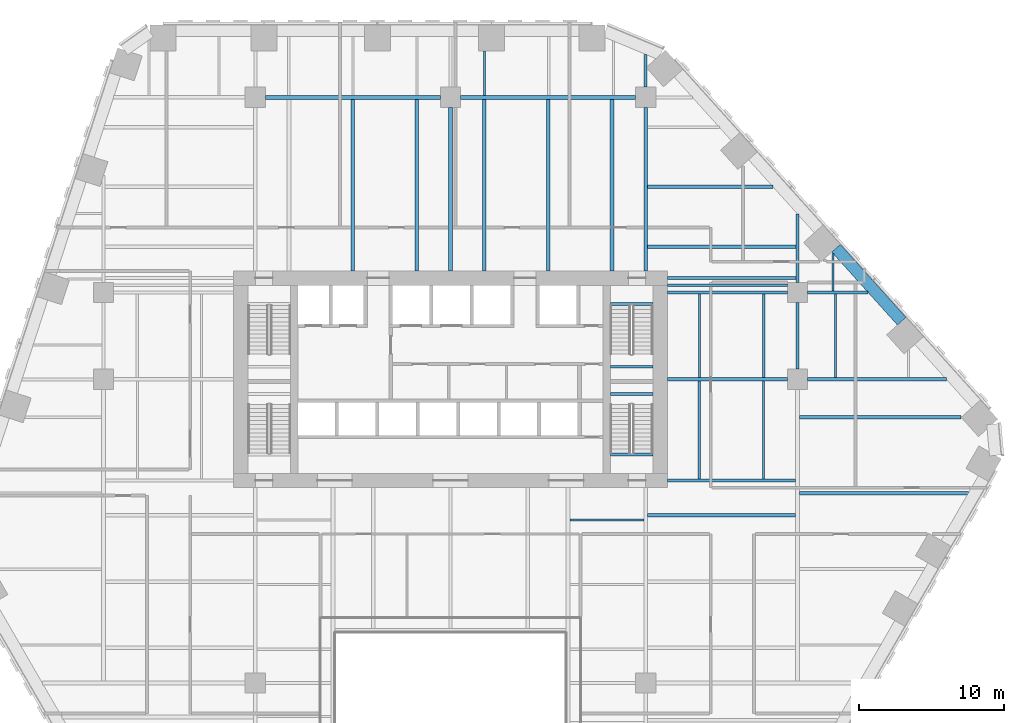
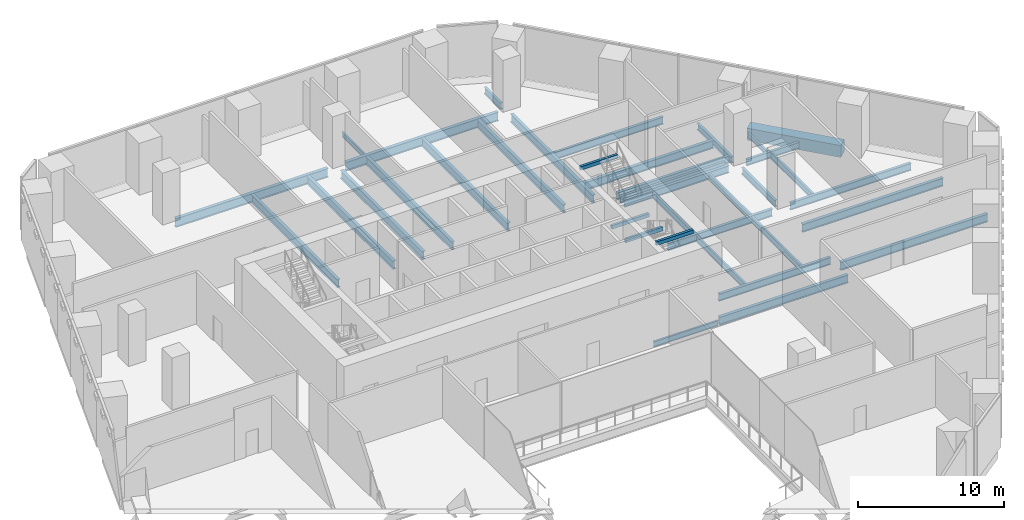
# One storey, part 9 of 19: 37 beams.
"""IFC4 building model written with IfcOpenShell, lengths in metres."""

from ifc_helpers import new_model, si_unit, direction, frame, origin, origin_2d, place, context, subcontext, project, spatial, rectangle, i_section, extrude, material, material_profile, profile_set, type_object, element, save


model = new_model("IFC4")

# Units and contexts
model_context = context("Model", 3, precision=1e-05, world=origin(), true_north=direction((0.0, 1.0)))
body_context = subcontext(model_context, "Body", "Model", "MODEL_VIEW")
ifc_project = project(units=[si_unit("LENGTHUNIT", "METRE"), si_unit("AREAUNIT", "SQUARE_METRE"), si_unit("VOLUMEUNIT", "CUBIC_METRE"), si_unit("PLANEANGLEUNIT", "RADIAN"), si_unit("MASSUNIT", "GRAM", prefix="KILO")], contexts=[model_context])

# Site, building, storey
site_placement = place(None, origin())
site = spatial("IfcSite", under=ifc_project, at=site_placement, CompositionType="ELEMENT")
building_placement = place(site_placement, origin())
building = spatial("IfcBuilding", under=site, at=building_placement, Name="Isthmus Gate Tower", CompositionType="ELEMENT")
storey_placement = place(building_placement, frame((0.0, 0.0, 76.14990234375)))
storey = spatial("IfcBuildingStorey", under=building, at=storey_placement, Name="L17", CompositionType="ELEMENT", Elevation=76.14990234375)

# Beams
ifc_material_1 = material(Name="Concrete f'c 70 MPa", Category="concrete")
ifc_material_profile_1 = material_profile(ifc_material_1, rectangle(XDim=0.800048828125, YDim=1.0, at=origin_2d()), Name="RC 800X1000")
ifc_profile_set_1 = profile_set([ifc_material_profile_1], Name="Concrete f'c 70 MPa")
beam_type_1 = type_object("IfcBeamType", Name="RC SPANDREL 800 X 1000", PredefinedType="SPANDREL", material=ifc_profile_set_1)
beam_1_placement = place(storey_placement, frame((26.664794921875, 16.566162109375, -0.5), z_axis=(0.669117690519, -0.743156454748, 0.0), x_axis=(0.743156454748, 0.669117690519, 0.0)))
element("IfcBeam", 1, at=beam_1_placement, inside=storey, type_object=beam_type_1, Name="str-spandrel-L17-03", PredefinedType="SPANDREL", context=body_context, shape_type="SweptSolid", body=[
    extrude(rectangle(XDim=0.800048828125, YDim=1.0, at=origin_2d()), origin(), (0.0, 0.0, 1.0), 6.78955078125),
])
ifc_material_2 = material(Name="Concrete f'c 40 MPa", Category="concrete")
ifc_material_profile_2 = material_profile(ifc_material_2, rectangle(XDim=0.199951171875, YDim=0.300048828125, at=origin_2d()), Name="STAIR LANDING BEAM RC 200 X 300")
ifc_profile_set_2 = profile_set([ifc_material_profile_2], Name="Concrete f'c 40 MPa")
beam_type_2 = type_object("IfcBeamType", Name="STAIR LANDING BEAM RC 200 X 300", PredefinedType="BEAM", material=ifc_profile_set_2)
for number, where, z_axis, x_axis, name in (
    (2, (11.050048828125, 8.3701171875, 1.900146484375), (1.0, 0.0, 0.0), (0.0, 1.0, 0.0), "L17 ST2 landing beam 1"),
    (3, (11.050048828125, 12.7001953125, 4.2001953125), (1.0, 0.0, 0.0), (0.0, 1.0, 0.0), "L17 ST2 floor-edge seat beam"),
    (4, (11.050048828125, 6.47998046875, 1.900146484375), (1.0, 0.0, 0.0), (0.0, 1.0, 0.0), "L17 ST8 landing beam 1"),
    (5, (11.050048828125, 2.2998046875, 4.2001953125), (1.0, 0.0, 0.0), (0.0, 1.0, 0.0), "L17 ST8 floor-edge seat beam"),
):
    element("IfcBeam", number, at=place(storey_placement, frame(where, z_axis=z_axis, x_axis=x_axis)), inside=storey, type_object=beam_type_2, Name=name, PredefinedType="BEAM", context=body_context, shape_type="SweptSolid", body=[
        extrude(rectangle(XDim=0.199951171875, YDim=0.300048828125, at=origin_2d()), origin(), (0.0, 0.0, 1.0), 2.949951171875),
    ])
ifc_material_3 = material(Name="Structural steel ASTM A992 Gr 50", Category="steel")
ifc_material_profile_3 = material_profile(ifc_material_3, i_section(OverallWidth=0.1396484375, OverallDepth=0.4033203125, WebThickness=0.00634765625, FlangeThickness=0.010986328125, at=origin_2d()), Name="W16X31")
ifc_profile_set_3 = profile_set([ifc_material_profile_3], Name="Structural steel ASTM A992 Gr 50")
beam_type_3 = type_object("IfcBeamType", Name="STEEL FLOOR BEAM W16X31", PredefinedType="JOIST", material=ifc_profile_set_3)
beam_2_placement = place(storey_placement, frame((2.33740234375, 27.1318359375, -0.50146484375), z_axis=(0.0, 1.0, 0.0), x_axis=(-1.0, 0.0, 0.0)))
element("IfcBeam", 6, at=beam_2_placement, inside=storey, type_object=beam_type_3, Name="str-beam-L17-19-00", PredefinedType="JOIST", context=body_context, shape_type="SweptSolid", body=[
    extrude(i_section(OverallWidth=0.1396484375, OverallDepth=0.4033203125, WebThickness=0.00634765625, FlangeThickness=0.010986328125, at=origin_2d()), origin(), (0.0, 0.0, 1.0), 3.068115234375),
])
beam_3_placement = place(storey_placement, frame((26.448974609375, 13.604736328125, -0.50146484375), z_axis=(0.0, 1.0, 0.0), x_axis=(-1.0, 0.0, 0.0)))
element("IfcBeam", 7, at=beam_3_placement, inside=storey, type_object=beam_type_3, Name="str-beam-L17-32-00", PredefinedType="JOIST", context=body_context, shape_type="SweptSolid", body=[
    extrude(i_section(OverallWidth=0.1396484375, OverallDepth=0.4033203125, WebThickness=0.00634765625, FlangeThickness=0.010986328125, at=origin_2d()), origin(), (0.0, 0.0, 1.0), 2.603515625),
])
ifc_material_4 = material(Name="Structural steel ASTM A992 Gr 50", Category="steel")
ifc_material_profile_4 = material_profile(ifc_material_4, i_section(OverallWidth=0.15234375, OverallDepth=0.45068359375, WebThickness=0.0078125, FlangeThickness=0.010986328125, at=origin_2d()), Name="W18X35")
ifc_profile_set_4 = profile_set([ifc_material_profile_4], Name="Structural steel ASTM A992 Gr 50")
beam_type_4 = type_object("IfcBeamType", Name="STEEL FLOOR BEAM W18X35", PredefinedType="JOIST", material=ifc_profile_set_4)
beam_4_placement = place(storey_placement, frame((8.263427734375, -2.232421875, -0.525390625), z_axis=(1.0, 0.0, 0.0), x_axis=(0.0, 1.0, 0.0)))
element("IfcBeam", 8, at=beam_4_placement, inside=storey, type_object=beam_type_4, Name="str-beam-L17-23-02", PredefinedType="JOIST", context=body_context, shape_type="SweptSolid", body=[
    extrude(i_section(OverallWidth=0.15234375, OverallDepth=0.45068359375, WebThickness=0.0078125, FlangeThickness=0.010986328125, at=origin_2d()), origin(), (0.0, 0.0, 1.0), 5.104736328125),
])
ifc_material_5 = material(Name="Structural steel ASTM A992 Gr 50", Category="steel")
ifc_material_profile_5 = material_profile(ifc_material_5, i_section(OverallWidth=0.1650390625, OverallDepth=0.52392578125, WebThickness=0.009521484375, FlangeThickness=0.010986328125, at=origin_2d()), Name="W21X44")
ifc_profile_set_5 = profile_set([ifc_material_profile_5], Name="Structural steel ASTM A992 Gr 50")
beam_type_5 = type_object("IfcBeamType", Name="STEEL FLOOR BEAM W21X44", PredefinedType="JOIST", material=ifc_profile_set_5)
for number, where, z_axis, x_axis, name in (
    (9, (17.223876953125, 7.6142578125, -0.561767578125), (0.0, 1.0, 0.0), (-1.0, 0.0, 0.0), "str-beam-L17-30-00"),
    (10, (21.67138671875, 7.6142578125, -0.561767578125), (0.0, 1.0, 0.0), (-1.0, 0.0, 0.0), "str-beam-L17-30-01"),
):
    element("IfcBeam", number, at=place(storey_placement, frame(where, z_axis=z_axis, x_axis=x_axis)), inside=storey, type_object=beam_type_5, Name=name, PredefinedType="JOIST", context=body_context, shape_type="SweptSolid", body=[
        extrude(i_section(OverallWidth=0.1650390625, OverallDepth=0.52392578125, WebThickness=0.009521484375, FlangeThickness=0.010986328125, at=origin_2d()), origin(), (0.0, 0.0, 1.0), 5.771484375),
    ])
for number, where, z_axis, x_axis, name in (
    (11, (17.216552734375, 0.6142578125, -0.561767578125), (0.0, 1.0, 0.0), (-1.0, 0.0, 0.0), "str-beam-L17-31-00"),
    (12, (21.64990234375, 0.6142578125, -0.561767578125), (0.0, 1.0, 0.0), (-1.0, 0.0, 0.0), "str-beam-L17-31-01"),
):
    element("IfcBeam", number, at=place(storey_placement, frame(where, z_axis=z_axis, x_axis=x_axis)), inside=storey, type_object=beam_type_5, Name=name, PredefinedType="JOIST", context=body_context, shape_type="SweptSolid", body=[
        extrude(i_section(OverallWidth=0.1650390625, OverallDepth=0.52392578125, WebThickness=0.009521484375, FlangeThickness=0.010986328125, at=origin_2d()), origin(), (0.0, 0.0, 1.0), 6.771484375),
    ])
beam_5_placement = place(storey_placement, frame((26.625244140625, 7.6142578125, -0.561767578125), z_axis=(0.0, 1.0, 0.0), x_axis=(-1.0, 0.0, 0.0)))
element("IfcBeam", 13, at=beam_5_placement, inside=storey, type_object=beam_type_5, Name="str-beam-L17-33-00", PredefinedType="JOIST", context=body_context, shape_type="SweptSolid", body=[
    extrude(i_section(OverallWidth=0.1650390625, OverallDepth=0.52392578125, WebThickness=0.009521484375, FlangeThickness=0.010986328125, at=origin_2d()), origin(), (0.0, 0.0, 1.0), 5.781005859375),
])
ifc_material_6 = material(Name="Structural steel ASTM A992 Gr 50", Category="steel")
ifc_material_profile_6 = material_profile(ifc_material_6, i_section(OverallWidth=0.177734375, OverallDepth=0.60009765625, WebThickness=0.009521484375, FlangeThickness=0.0126953125, at=origin_2d()), Name="W24X55")
ifc_profile_set_6 = profile_set([ifc_material_profile_6], Name="Structural steel ASTM A992 Gr 50")
beam_type_6 = type_object("IfcBeamType", Name="STEEL FLOOR BEAM W24X55", PredefinedType="JOIST", material=ifc_profile_set_6)
beam_6_placement = place(storey_placement, frame((15.0, 14.0, -0.599853515625), z_axis=(1.0, 0.0, 0.0), x_axis=(0.0, 1.0, 0.0)))
element("IfcBeam", 14, at=beam_6_placement, inside=storey, type_object=beam_type_6, Name="str-beam-L17-29-00", PredefinedType="JOIST", context=body_context, shape_type="SweptSolid", body=[
    extrude(i_section(OverallWidth=0.177734375, OverallDepth=0.60009765625, WebThickness=0.009521484375, FlangeThickness=0.0126953125, at=origin_2d()), origin(), (0.0, 0.0, 1.0), 8.300048828125),
])
ifc_material_7 = material(Name="Structural steel ASTM A992 Gr 50", Category="steel")
ifc_material_profile_7 = material_profile(ifc_material_7, i_section(OverallWidth=0.228515625, OverallDepth=0.603271484375, WebThickness=0.010986328125, FlangeThickness=0.014404296875, at=origin_2d()), Name="W24X68")
ifc_profile_set_7 = profile_set([ifc_material_profile_7], Name="Structural steel ASTM A992 Gr 50")
beam_type_7 = type_object("IfcBeamType", Name="STEEL FLOOR BEAM W24X68", PredefinedType="JOIST", material=ifc_profile_set_7)
beam_7_placement = place(storey_placement, frame((13.626953125, 20.80712890625, -0.6015625), z_axis=(1.0, 0.0, 0.0), x_axis=(0.0, 1.0, 0.0)))
element("IfcBeam", 15, at=beam_7_placement, inside=storey, type_object=beam_type_7, Name="str-beam-L17-26-01", PredefinedType="JOIST", context=body_context, shape_type="SweptSolid", body=[
    extrude(i_section(OverallWidth=0.228515625, OverallDepth=0.603271484375, WebThickness=0.010986328125, FlangeThickness=0.014404296875, at=origin_2d()), origin(), (0.0, 0.0, 1.0), 8.680908203125),
])
ifc_material_8 = material(Name="Structural steel ASTM A992 Gr 50", Category="steel")
ifc_material_profile_8 = material_profile(ifc_material_8, i_section(OverallWidth=0.25390625, OverallDepth=0.679443359375, WebThickness=0.010986328125, FlangeThickness=0.015869140625, at=origin_2d()), Name="W27X84")
ifc_profile_set_8 = profile_set([ifc_material_profile_8], Name="Structural steel ASTM A992 Gr 50")
beam_type_8 = type_object("IfcBeamType", Name="STEEL FLOOR BEAM W27X84", PredefinedType="JOIST", material=ifc_profile_set_8)
for number, where, z_axis, x_axis, name in (
    (16, (-6.75, 15.0, -0.6396484375), (0.0, 1.0, 0.0), (-1.0, 0.0, 0.0), "str-beam-L17-13-01"),
    (17, (-2.334716796875, 15.0, -0.6396484375), (0.0, 1.0, 0.0), (-1.0, 0.0, 0.0), "str-beam-L17-13-02"),
    (18, (2.334716796875, 15.0, -0.6396484375), (0.0, 1.0, 0.0), (-1.0, 0.0, 0.0), "str-beam-L17-20-00"),
    (19, (6.75, 15.0, -0.6396484375), (0.0, 1.0, 0.0), (-1.0, 0.0, 0.0), "str-beam-L17-20-01"),
    (20, (11.165283203125, 15.0, -0.6396484375), (0.0, 1.0, 0.0), (-1.0, 0.0, 0.0), "str-beam-L17-20-02"),
):
    element("IfcBeam", number, at=place(storey_placement, frame(where, z_axis=z_axis, x_axis=x_axis)), inside=storey, type_object=beam_type_8, Name=name, PredefinedType="JOIST", context=body_context, shape_type="SweptSolid", body=[
        extrude(i_section(OverallWidth=0.25390625, OverallDepth=0.679443359375, WebThickness=0.010986328125, FlangeThickness=0.015869140625, at=origin_2d()), origin(), (0.0, 0.0, 1.0), 11.8681640625),
    ])
beam_8_placement = place(storey_placement, frame((13.626953125, 16.678466796875, -0.6396484375), z_axis=(1.0, 0.0, 0.0), x_axis=(0.0, 1.0, 0.0)))
element("IfcBeam", 21, at=beam_8_placement, inside=storey, type_object=beam_type_8, Name="str-beam-L17-26-00", PredefinedType="JOIST", context=body_context, shape_type="SweptSolid", body=[
    extrude(i_section(OverallWidth=0.25390625, OverallDepth=0.679443359375, WebThickness=0.010986328125, FlangeThickness=0.015869140625, at=origin_2d()), origin(), (0.0, 0.0, 1.0), 10.268310546875),
])
beam_9_placement = place(storey_placement, frame((13.6318359375, -1.90625, -0.6396484375), z_axis=(1.0, 0.0, 0.0), x_axis=(0.0, 1.0, 0.0)))
element("IfcBeam", 22, at=beam_9_placement, inside=storey, type_object=beam_type_8, Name="str-beam-L17-27-02", PredefinedType="JOIST", context=body_context, shape_type="SweptSolid", body=[
    extrude(i_section(OverallWidth=0.25390625, OverallDepth=0.679443359375, WebThickness=0.010986328125, FlangeThickness=0.015869140625, at=origin_2d()), origin(), (0.0, 0.0, 1.0), 10.23486328125),
])
beam_10_placement = place(storey_placement, frame((24.13330078125, -0.375, -0.6396484375), z_axis=(1.0, 0.0, 0.0), x_axis=(0.0, 1.0, 0.0)))
element("IfcBeam", 23, at=beam_10_placement, inside=storey, type_object=beam_type_8, Name="str-beam-L17-34-02", PredefinedType="JOIST", context=body_context, shape_type="SweptSolid", body=[
    extrude(i_section(OverallWidth=0.25390625, OverallDepth=0.679443359375, WebThickness=0.010986328125, FlangeThickness=0.015869140625, at=origin_2d()), origin(), (0.0, 0.0, 1.0), 11.6767578125),
])
beam_11_placement = place(storey_placement, frame((24.13330078125, 4.875, -0.6396484375), z_axis=(1.0, 0.0, 0.0), x_axis=(0.0, 1.0, 0.0)))
element("IfcBeam", 24, at=beam_11_placement, inside=storey, type_object=beam_type_8, Name="str-beam-L17-34-03", PredefinedType="JOIST", context=body_context, shape_type="SweptSolid", body=[
    extrude(i_section(OverallWidth=0.25390625, OverallDepth=0.679443359375, WebThickness=0.010986328125, FlangeThickness=0.015869140625, at=origin_2d()), origin(), (0.0, 0.0, 1.0), 11.185302734375),
])
ifc_material_9 = material(Name="Structural steel ASTM A992 Gr 50", Category="steel")
ifc_material_profile_9 = material_profile(ifc_material_9, i_section(OverallWidth=0.20947265625, OverallDepth=0.533447265625, WebThickness=0.009521484375, FlangeThickness=0.015869140625, at=origin_2d()), Name="W21X62")
ifc_profile_set_9 = profile_set([ifc_material_profile_9], Name="Structural steel ASTM A992 Gr 50")
beam_type_9 = type_object("IfcBeamType", Name="STEEL GIRDER W21X62", PredefinedType="BEAM", material=ifc_profile_set_9)
beam_12_placement = place(storey_placement, frame((24.699951171875, 13.5, -0.566650390625), z_axis=(1.0, 0.0, 0.0), x_axis=(0.0, 1.0, 0.0)))
element("IfcBeam", 25, at=beam_12_placement, inside=storey, type_object=beam_type_9, Name="str-girder-L17-15", PredefinedType="BEAM", context=body_context, shape_type="SweptSolid", body=[
    extrude(i_section(OverallWidth=0.20947265625, OverallDepth=0.533447265625, WebThickness=0.009521484375, FlangeThickness=0.015869140625, at=origin_2d()), origin(), (0.0, 0.0, 1.0), 4.187255859375),
])
beam_13_placement = place(storey_placement, frame((13.5, 27.699951171875, -0.566650390625), z_axis=(0.0, 1.0, 0.0), x_axis=(-1.0, 0.0, 0.0)))
element("IfcBeam", 26, at=beam_13_placement, inside=storey, type_object=beam_type_9, Name="str-girder-L17-34", PredefinedType="BEAM", context=body_context, shape_type="SweptSolid", body=[
    extrude(i_section(OverallWidth=0.20947265625, OverallDepth=0.533447265625, WebThickness=0.009521484375, FlangeThickness=0.015869140625, at=origin_2d()), origin(), (0.0, 0.0, 1.0), 2.27001953125),
])
beam_14_placement = place(storey_placement, frame((24.0, 8.199951171875, -0.566650390625), z_axis=(0.0, 1.0, 0.0), x_axis=(-1.0, 0.0, 0.0)))
element("IfcBeam", 27, at=beam_14_placement, inside=storey, type_object=beam_type_9, Name="str-girder-L17-36", PredefinedType="BEAM", context=body_context, shape_type="SweptSolid", body=[
    extrude(i_section(OverallWidth=0.20947265625, OverallDepth=0.533447265625, WebThickness=0.009521484375, FlangeThickness=0.015869140625, at=origin_2d()), origin(), (0.0, 0.0, 1.0), 4.60009765625),
])
beam_15_placement = place(storey_placement, frame((24.0, 14.199951171875, -0.566650390625), z_axis=(0.0, 1.0, 0.0), x_axis=(-1.0, 0.0, 0.0)))
element("IfcBeam", 28, at=beam_15_placement, inside=storey, type_object=beam_type_9, Name="str-girder-L17-37", PredefinedType="BEAM", context=body_context, shape_type="SweptSolid", body=[
    extrude(i_section(OverallWidth=0.20947265625, OverallDepth=0.533447265625, WebThickness=0.009521484375, FlangeThickness=0.015869140625, at=origin_2d()), origin(), (0.0, 0.0, 1.0), 4.72802734375),
])
ifc_material_10 = material(Name="Structural steel ASTM A992 Gr 50", Category="steel")
ifc_material_profile_10 = material_profile(ifc_material_10, i_section(OverallWidth=0.228515625, OverallDepth=0.6064453125, WebThickness=0.010986328125, FlangeThickness=0.017578125, at=origin_2d()), Name="W24X76")
ifc_profile_set_10 = profile_set([ifc_material_profile_10], Name="Structural steel ASTM A992 Gr 50")
beam_type_10 = type_object("IfcBeamType", Name="STEEL GIRDER W24X76", PredefinedType="BEAM", material=ifc_profile_set_10)
beam_16_placement = place(storey_placement, frame((15.0, 7.5, -0.60302734375), z_axis=(1.0, 0.0, 0.0), x_axis=(0.0, 1.0, 0.0)))
element("IfcBeam", 29, at=beam_16_placement, inside=storey, type_object=beam_type_10, Name="str-girder-L17-11", PredefinedType="BEAM", context=body_context, shape_type="SweptSolid", body=[
    extrude(i_section(OverallWidth=0.228515625, OverallDepth=0.6064453125, WebThickness=0.010986328125, FlangeThickness=0.017578125, at=origin_2d()), origin(), (0.0, 0.0, 1.0), 8.300048828125),
])
beam_17_placement = place(storey_placement, frame((24.699951171875, 7.5, -0.60302734375), z_axis=(1.0, 0.0, 0.0), x_axis=(0.0, 1.0, 0.0)))
element("IfcBeam", 30, at=beam_17_placement, inside=storey, type_object=beam_type_10, Name="str-girder-L17-12", PredefinedType="BEAM", context=body_context, shape_type="SweptSolid", body=[
    extrude(i_section(OverallWidth=0.228515625, OverallDepth=0.6064453125, WebThickness=0.010986328125, FlangeThickness=0.017578125, at=origin_2d()), origin(), (0.0, 0.0, 1.0), 9.58984375),
])
beam_18_placement = place(storey_placement, frame((15.0, 13.5, -0.60302734375), z_axis=(1.0, 0.0, 0.0), x_axis=(0.0, 1.0, 0.0)))
element("IfcBeam", 31, at=beam_18_placement, inside=storey, type_object=beam_type_10, Name="str-girder-L17-14", PredefinedType="BEAM", context=body_context, shape_type="SweptSolid", body=[
    extrude(i_section(OverallWidth=0.228515625, OverallDepth=0.6064453125, WebThickness=0.010986328125, FlangeThickness=0.017578125, at=origin_2d()), origin(), (0.0, 0.0, 1.0), 8.300048828125),
])
beam_19_placement = place(storey_placement, frame((15.0, 0.5, -0.60302734375), z_axis=(1.0, 0.0, 0.0), x_axis=(0.0, 1.0, 0.0)))
element("IfcBeam", 32, at=beam_19_placement, inside=storey, type_object=beam_type_10, Name="str-girder-L17-39", PredefinedType="BEAM", context=body_context, shape_type="SweptSolid", body=[
    extrude(i_section(OverallWidth=0.228515625, OverallDepth=0.6064453125, WebThickness=0.010986328125, FlangeThickness=0.017578125, at=origin_2d()), origin(), (0.0, 0.0, 1.0), 8.86669921875),
])
beam_20_placement = place(storey_placement, frame((15.0, 14.5, -0.60302734375), z_axis=(1.0, 0.0, 0.0), x_axis=(0.0, 1.0, 0.0)))
element("IfcBeam", 33, at=beam_20_placement, inside=storey, type_object=beam_type_10, Name="str-girder-L17-41", PredefinedType="BEAM", context=body_context, shape_type="SweptSolid", body=[
    extrude(i_section(OverallWidth=0.228515625, OverallDepth=0.6064453125, WebThickness=0.010986328125, FlangeThickness=0.017578125, at=origin_2d()), origin(), (0.0, 0.0, 1.0), 8.895263671875),
])
ifc_material_11 = material(Name="Structural steel ASTM A992 Gr 50", Category="steel")
ifc_material_profile_11 = material_profile(ifc_material_11, i_section(OverallWidth=0.25390625, OverallDepth=0.679443359375, WebThickness=0.010986328125, FlangeThickness=0.015869140625, at=origin_2d()), Name="W27X84")
ifc_profile_set_11 = profile_set([ifc_material_profile_11], Name="Structural steel ASTM A992 Gr 50")
beam_type_11 = type_object("IfcBeamType", Name="STEEL GIRDER W27X84", PredefinedType="BEAM", material=ifc_profile_set_11)
for number, where, z_axis, x_axis, name in (
    (34, (0.0, 15.0, -0.6396484375), (0.0, 1.0, 0.0), (-1.0, 0.0, 0.0), "str-girder-L17-29"),
    (35, (13.5, 15.0, -0.6396484375), (0.0, 1.0, 0.0), (-1.0, 0.0, 0.0), "str-girder-L17-33"),
):
    element("IfcBeam", number, at=place(storey_placement, frame(where, z_axis=z_axis, x_axis=x_axis)), inside=storey, type_object=beam_type_11, Name=name, PredefinedType="BEAM", context=body_context, shape_type="SweptSolid", body=[
        extrude(i_section(OverallWidth=0.25390625, OverallDepth=0.679443359375, WebThickness=0.010986328125, FlangeThickness=0.015869140625, at=origin_2d()), origin(), (0.0, 0.0, 1.0), 11.300048828125),
    ])
ifc_material_12 = material(Name="Structural steel ASTM A992 Gr 50", Category="steel")
ifc_material_profile_12 = material_profile(ifc_material_12, i_section(OverallWidth=0.263427734375, OverallDepth=0.749267578125, WebThickness=0.0126953125, FlangeThickness=0.015869140625, at=origin_2d()), Name="W30X90")
ifc_profile_set_12 = profile_set([ifc_material_profile_12], Name="Structural steel ASTM A992 Gr 50")
beam_type_12 = type_object("IfcBeamType", Name="STEEL GIRDER W30X90", PredefinedType="BEAM", material=ifc_profile_set_12)
for number, where, z_axis, x_axis, name in (
    (36, (-12.800048828125, 27.0, -0.674560546875), (1.0, 0.0, 0.0), (0.0, 1.0, 0.0), "str-girder-L17-17"),
    (37, (0.699951171875, 27.0, -0.674560546875), (1.0, 0.0, 0.0), (0.0, 1.0, 0.0), "str-girder-L17-18"),
):
    element("IfcBeam", number, at=place(storey_placement, frame(where, z_axis=z_axis, x_axis=x_axis)), inside=storey, type_object=beam_type_12, Name=name, PredefinedType="BEAM", context=body_context, shape_type="SweptSolid", body=[
        extrude(i_section(OverallWidth=0.263427734375, OverallDepth=0.749267578125, WebThickness=0.0126953125, FlangeThickness=0.015869140625, at=origin_2d()), origin(), (0.0, 0.0, 1.0), 12.10009765625),
    ])

save(model, "model.ifc")
